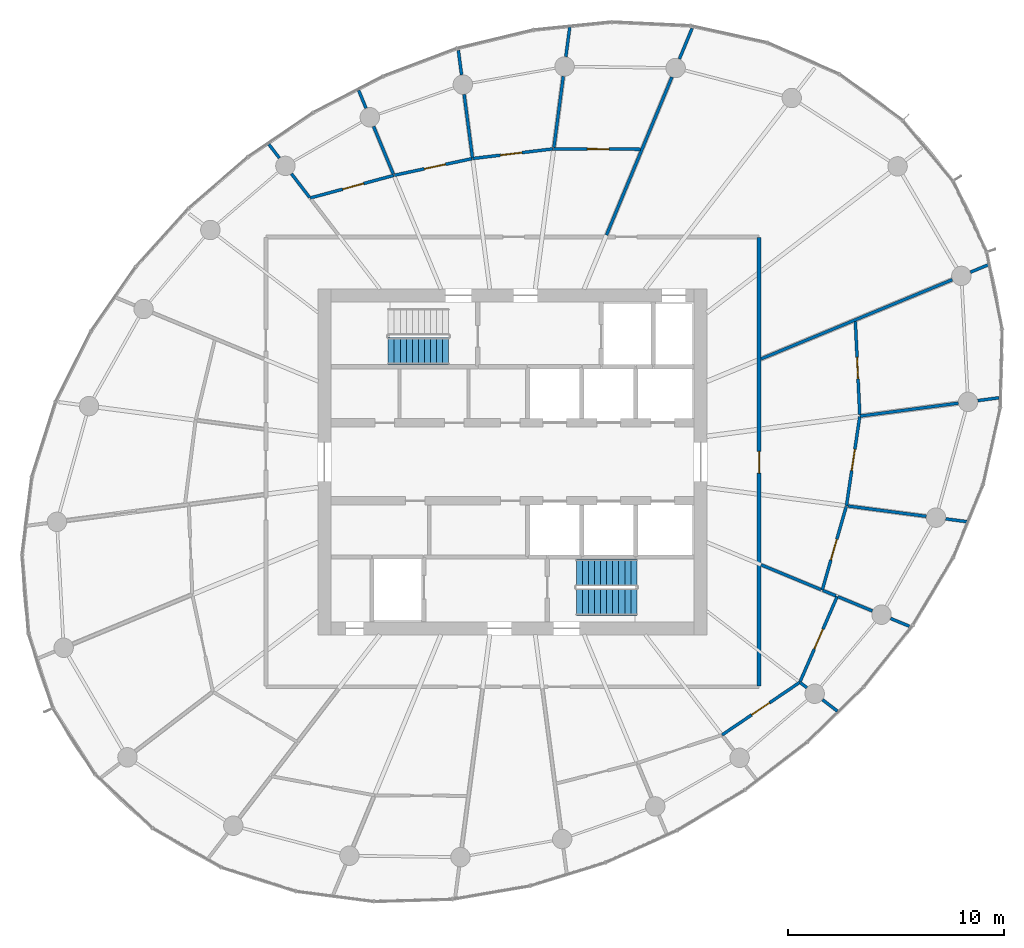
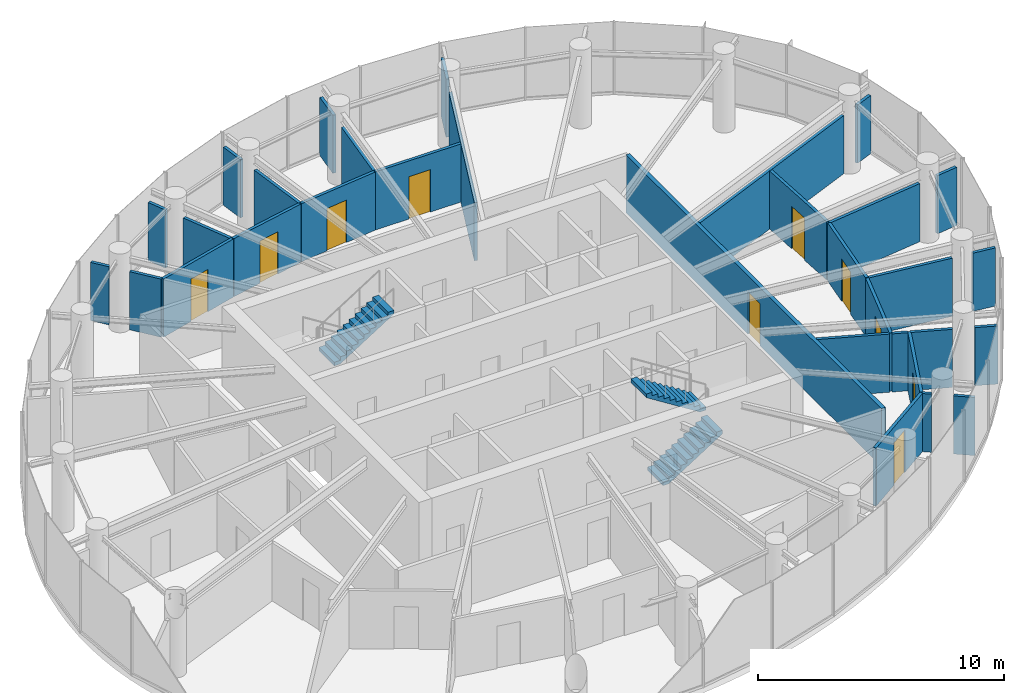
# One storey, part 12 of 15: 32 walls, 10 doors, 3 stair flights, 10 openings, 2 elements without a shape of their own.
"""IFC4 building model written with IfcOpenShell, lengths in metres."""

from ifc_helpers import new_model, si_unit, direction, frame, frame_2d, origin, place, context, subcontext, project, spatial, line, indexed_curve, rectangle, outline, extrude, source, transform, mapped, material, layer, layer_set, type_object, element, fill, aggregate, save


model = new_model("IFC4")

# Units and contexts
model_context = context("Model", 3, precision=1e-05, world=origin(), true_north=direction((0.0, 1.0)))
body_context = subcontext(model_context, "Body", "Model", "MODEL_VIEW")
ifc_project = project(units=[si_unit("LENGTHUNIT", "METRE"), si_unit("AREAUNIT", "SQUARE_METRE"), si_unit("VOLUMEUNIT", "CUBIC_METRE"), si_unit("PLANEANGLEUNIT", "RADIAN"), si_unit("MASSUNIT", "GRAM", prefix="KILO")], contexts=[model_context])

# Site, building, storey
site_placement = place(None, origin())
site = spatial("IfcSite", under=ifc_project, at=site_placement, CompositionType="ELEMENT")
building_placement = place(site_placement, origin())
building = spatial("IfcBuilding", under=site, at=building_placement, Name="Spindrift Exchange Tower", CompositionType="ELEMENT")
storey_placement = place(building_placement, frame((0.0, 0.0, 195.5)))
storey = spatial("IfcBuildingStorey", under=building, at=storey_placement, Name="L47", CompositionType="ELEMENT", Elevation=195.5)

# Wall, opening, door
ifc_material_1 = material(Name="Fire-rated plasterboard partition", Category="gypsum")
ifc_layer_1 = layer(ifc_material_1, 0.179931640625)
ifc_layer_set_1 = layer_set([ifc_layer_1], Name="W-CORR-180")
wall_type_1 = type_object("IfcWallType", Name="W-CORR-180", PredefinedType="PARTITIONING", material=ifc_layer_set_1)
wall_1_placement = place(storey_placement, frame((63.39990234375, 58.3701171875, 0.0), z_axis=(0.0, 0.0, 1.0), x_axis=(0.0, -1.0, 0.0)))
wall_1 = element("IfcWall", 1, at=wall_1_placement, inside=storey, type_object=wall_type_1, Name="L47 Partition wall 29", PredefinedType="PARTITIONING", context=body_context, shape_type="SweptSolid", body=[
    extrude(rectangle(XDim=20.740234375, YDim=0.179931640625, at=frame_2d((10.3701171875, 0.0))), origin(), (0.0, 0.0, 1.0), 2.8798828125),
])
opening_1_placement = place(wall_1_placement, frame((9.889892578125, 0.0, 0.0)))
opening_1 = element("IfcOpeningElement", 2, at=opening_1_placement, cuts=wall_1, Name="Opening L47-D35", PredefinedType="OPENING", context=body_context, shape_type="SweptSolid", body=[
    extrude(rectangle(XDim=1.0, YDim=2.10009765625, at=frame_2d((0.5, 1.050048828125))), frame((0.0, 0.099853515625, 0.0), z_axis=(0.0, -1.0, 0.0), x_axis=(1.0, 0.0, 0.0)), (0.0, 0.0, 1.0), 0.199951171875),
])
ifc_material_2 = material(Name="Timber-core fire door", Category="wood")
door_type = type_object("IfcDoorType", Name="DR-ROOM-1000", OperationType="NOTDEFINED", PredefinedType="DOOR", material=ifc_material_2)
shared_shape = source(origin(), body_context, "Body", "SweptSolid", [
    extrude(rectangle(XDim=1.0, YDim=2.10009765625, at=frame_2d((0.5, 1.050048828125))), frame((0.0, 0.02490234375, 0.0), z_axis=(0.0, -1.0, 0.0), x_axis=(1.0, 0.0, 0.0)), (0.0, 0.0, 1.0), 0.050048828125),
])
door_1_placement = place(opening_1_placement, origin())
door_1 = element("IfcDoor", 3, at=door_1_placement, inside=storey, type_object=door_type, Name="L47 Door 35", OperationType="SINGLE_SWING_RIGHT", OverallHeight=2.10009765625, OverallWidth=1.0, PredefinedType="DOOR", context=body_context, shape_type="MappedRepresentation", body=[
    mapped(shared_shape, transform((0.0, 0.0, 0.0), scale=1.0)),
])
fill(opening_1, door_1)

# Walls
ifc_layer_2 = layer(ifc_material_1, 0.139892578125)
ifc_layer_set_2 = layer_set([ifc_layer_2], Name="W-PART-140")
wall_type_2 = type_object("IfcWallType", Name="W-PART-140", PredefinedType="PARTITIONING", material=ifc_layer_set_2)
wall_2_placement = place(storey_placement, frame((72.332763671875, 56.422119140625, 0.0), z_axis=(0.0, 0.0, 1.0), x_axis=(-0.923877866197, -0.382687455178, 0.0)))
element("IfcWall", 4, at=wall_2_placement, inside=storey, type_object=wall_type_2, Name="L47 Partition wall 31", PredefinedType="PARTITIONING", context=body_context, shape_type="SweptSolid", body=[
    extrude(rectangle(XDim=9.5712890625, YDim=0.139892578125, at=frame_2d((4.78564453125, 0.0))), origin(), (0.0, 0.0, 1.0), 2.8798828125),
])
wall_3_placement = place(storey_placement, frame((59.36865234375, 65.789306640625, 0.0), z_axis=(0.0, 0.0, 1.0), x_axis=(-0.382679289053, -0.923881248716, 0.0)))
element("IfcWall", 5, at=wall_3_placement, inside=storey, type_object=wall_type_2, Name="L47 Partition wall 32", PredefinedType="PARTITIONING", context=body_context, shape_type="SweptSolid", body=[
    extrude(rectangle(XDim=7.900634765625, YDim=0.139892578125, at=frame_2d((3.9501953125, 0.0))), origin(), (0.0, 0.0, 1.0), 2.8798828125),
])
wall_4_placement = place(storey_placement, frame((68.056884765625, 50.114013671875, 0.0), z_axis=(0.0, 0.0, 1.0), x_axis=(0.991446516207, 0.130513621901, 0.0)))
element("IfcWall", 6, at=wall_4_placement, inside=storey, type_object=wall_type_2, Name="L47 Partition wall 40", PredefinedType="PARTITIONING", context=body_context, shape_type="SweptSolid", body=[
    extrude(rectangle(XDim=4.59423828125, YDim=0.139892578125, at=frame_2d((2.297119140625, 0.0))), origin(), (0.0, 0.0, 1.0), 2.8798828125),
])

# Wall, opening, door
wall_5_placement = place(storey_placement, frame((67.850830078125, 54.489990234375, 0.0), z_axis=(0.0, 0.0, 1.0), x_axis=(0.047064643858, -0.998891845646, 0.0)))
wall_5 = element("IfcWall", 7, at=wall_5_placement, inside=storey, type_object=wall_type_2, Name="L47 Partition wall 43", PredefinedType="PARTITIONING", context=body_context, shape_type="SweptSolid", body=[
    extrude(rectangle(XDim=4.310791015625, YDim=0.139892578125, at=frame_2d((2.1552734375, 0.0))), origin(), (0.0, 0.0, 1.0), 2.8798828125),
])
opening_2_placement = place(wall_5_placement, frame((1.660400390625, 0.0, 0.0)))
opening_2 = element("IfcOpeningElement", 8, at=opening_2_placement, cuts=wall_5, Name="Opening L47-D38", PredefinedType="OPENING", context=body_context, shape_type="SweptSolid", body=[
    extrude(rectangle(XDim=1.0, YDim=2.10009765625, at=frame_2d((0.5, 1.050048828125))), frame((0.0, 0.079833984375, 0.0), z_axis=(0.0, -1.0, 0.0), x_axis=(1.0, 0.0, 0.0)), (0.0, 0.0, 1.0), 0.159912109375),
])
door_2_placement = place(opening_2_placement, origin())
door_2 = element("IfcDoor", 9, at=door_2_placement, inside=storey, type_object=door_type, Name="L47 Door 38", OperationType="SINGLE_SWING_LEFT", OverallHeight=2.10009765625, OverallWidth=1.0, PredefinedType="DOOR", context=body_context, shape_type="MappedRepresentation", body=[
    mapped(shared_shape, transform((0.0, 0.0, 0.0), scale=1.0)),
])
fill(opening_2, door_2)

wall_6_placement = place(storey_placement, frame((65.28271484375, 37.807861328125, 0.0), z_axis=(0.0, 0.0, 1.0), x_axis=(-0.828127545773, -0.560539711288, 0.0)))
wall_6 = element("IfcWall", 10, at=wall_6_placement, inside=storey, type_object=wall_type_2, Name="L47 Partition wall 45", PredefinedType="PARTITIONING", context=body_context, shape_type="SweptSolid", body=[
    extrude(rectangle(XDim=4.341064453125, YDim=0.139892578125, at=frame_2d((2.17041015625, 0.0))), origin(), (0.0, 0.0, 1.0), 2.8798828125),
])
opening_3_placement = place(wall_6_placement, frame((1.69091796875, 0.0, 0.0)))
opening_3 = element("IfcOpeningElement", 11, at=opening_3_placement, cuts=wall_6, Name="Opening L47-D33", PredefinedType="OPENING", context=body_context, shape_type="SweptSolid", body=[
    extrude(rectangle(XDim=1.0, YDim=2.10009765625, at=frame_2d((0.5, 1.050048828125))), frame((0.0, 0.079833984375, 0.0), z_axis=(0.0, -1.0, 0.0), x_axis=(1.0, 0.0, 0.0)), (0.0, 0.0, 1.0), 0.159912109375),
])
door_3_placement = place(opening_3_placement, origin())
door_3 = element("IfcDoor", 12, at=door_3_placement, inside=storey, type_object=door_type, Name="L47 Door 33", OperationType="SINGLE_SWING_RIGHT", OverallHeight=2.10009765625, OverallWidth=1.0, PredefinedType="DOOR", context=body_context, shape_type="MappedRepresentation", body=[
    mapped(shared_shape, transform((0.0, 0.0, 0.0), scale=1.0)),
])
fill(opening_3, door_3)

wall_7_placement = place(storey_placement, frame((67.013427734375, 41.78125, 0.0), z_axis=(0.0, 0.0, 1.0), x_axis=(-0.399327520303, -0.916808339583, 0.0)))
wall_7 = element("IfcWall", 13, at=wall_7_placement, inside=storey, type_object=wall_type_2, Name="L47 Partition wall 46", PredefinedType="PARTITIONING", context=body_context, shape_type="SweptSolid", body=[
    extrude(rectangle(XDim=4.30419921875, YDim=0.139892578125, at=frame_2d((2.152099609375, 0.0))), origin(), (0.0, 0.0, 1.0), 2.8798828125),
])
opening_4_placement = place(wall_7_placement, frame((1.654052734375, 0.0, 0.0)))
opening_4 = element("IfcOpeningElement", 14, at=opening_4_placement, cuts=wall_7, Name="Opening L47-D34", PredefinedType="OPENING", context=body_context, shape_type="SweptSolid", body=[
    extrude(rectangle(XDim=1.0, YDim=2.10009765625, at=frame_2d((0.5, 1.050048828125))), frame((0.0, 0.079833984375, 0.0), z_axis=(0.0, -1.0, 0.0), x_axis=(1.0, 0.0, 0.0)), (0.0, 0.0, 1.0), 0.159912109375),
])
door_4_placement = place(opening_4_placement, origin())
door_4 = element("IfcDoor", 15, at=door_4_placement, inside=storey, type_object=door_type, Name="L47 Door 34", OperationType="SINGLE_SWING_LEFT", OverallHeight=2.10009765625, OverallWidth=1.0, PredefinedType="DOOR", context=body_context, shape_type="MappedRepresentation", body=[
    mapped(shared_shape, transform((0.0, 0.0, 0.0), scale=1.0)),
])
fill(opening_4, door_4)

wall_8_placement = place(storey_placement, frame((68.052490234375, 50.084228515625, 0.0), z_axis=(0.0, 0.0, 1.0), x_axis=(-0.147462696702, -0.989067618053, 0.0)))
wall_8 = element("IfcWall", 16, at=wall_8_placement, inside=storey, type_object=wall_type_2, Name="L47 Partition wall 47", PredefinedType="PARTITIONING", context=body_context, shape_type="SweptSolid", body=[
    extrude(rectangle(XDim=4.162109375, YDim=0.139892578125, at=frame_2d((2.0810546875, 0.0))), origin(), (0.0, 0.0, 1.0), 2.8798828125),
])
opening_5_placement = place(wall_8_placement, frame((1.51220703125, 0.0, 0.0)))
opening_5 = element("IfcOpeningElement", 17, at=opening_5_placement, cuts=wall_8, Name="Opening L47-D37", PredefinedType="OPENING", context=body_context, shape_type="SweptSolid", body=[
    extrude(rectangle(XDim=1.0, YDim=2.10009765625, at=frame_2d((0.5, 1.050048828125))), frame((0.0, 0.079833984375, 0.0), z_axis=(0.0, -1.0, 0.0), x_axis=(1.0, 0.0, 0.0)), (0.0, 0.0, 1.0), 0.159912109375),
])
door_5_placement = place(opening_5_placement, origin())
door_5 = element("IfcDoor", 18, at=door_5_placement, inside=storey, type_object=door_type, Name="L47 Door 37", OperationType="SINGLE_SWING_RIGHT", OverallHeight=2.10009765625, OverallWidth=1.0, PredefinedType="DOOR", context=body_context, shape_type="MappedRepresentation", body=[
    mapped(shared_shape, transform((0.0, 0.0, 0.0), scale=1.0)),
])
fill(opening_5, door_5)

wall_9_placement = place(storey_placement, frame((53.905517578125, 62.47314453125, 0.0), z_axis=(0.0, 0.0, 1.0), x_axis=(0.999985936292, -0.005303509904, 0.0)))
wall_9 = element("IfcWall", 19, at=wall_9_placement, inside=storey, type_object=wall_type_2, Name="L47 Partition wall 50", PredefinedType="PARTITIONING", context=body_context, shape_type="SweptSolid", body=[
    extrude(rectangle(XDim=4.0048828125, YDim=0.139892578125, at=frame_2d((2.00244140625, 0.0))), origin(), (0.0, 0.0, 1.0), 2.8798828125),
])
opening_6_placement = place(wall_9_placement, frame((1.55517578125, 0.0, 0.0)))
opening_6 = element("IfcOpeningElement", 20, at=opening_6_placement, cuts=wall_9, Name="Opening L47-D41", PredefinedType="OPENING", context=body_context, shape_type="SweptSolid", body=[
    extrude(rectangle(XDim=1.0, YDim=2.10009765625, at=frame_2d((0.5, 1.050048828125))), frame((0.0, 0.079833984375, 0.0), z_axis=(0.0, -1.0, 0.0), x_axis=(1.0, 0.0, 0.0)), (0.0, 0.0, 1.0), 0.159912109375),
])
door_6_placement = place(opening_6_placement, origin())
door_6 = element("IfcDoor", 21, at=door_6_placement, inside=storey, type_object=door_type, Name="L47 Door 41", OperationType="SINGLE_SWING_RIGHT", OverallHeight=2.10009765625, OverallWidth=1.0, PredefinedType="DOOR", context=body_context, shape_type="MappedRepresentation", body=[
    mapped(shared_shape, transform((0.0, 0.0, 0.0), scale=1.0)),
])
fill(opening_6, door_6)

wall_10_placement = place(storey_placement, frame((67.430419921875, 45.938720703125, 0.0), z_axis=(0.0, 0.0, 1.0), x_axis=(-0.276146395888, -0.96111558516, 0.0)))
wall_10 = element("IfcWall", 22, at=wall_10_placement, inside=storey, type_object=wall_type_2, Name="L47 Partition wall 51", PredefinedType="PARTITIONING", context=body_context, shape_type="SweptSolid", body=[
    extrude(rectangle(XDim=4.026123046875, YDim=0.139892578125, at=frame_2d((2.01318359375, 0.0))), origin(), (0.0, 0.0, 1.0), 2.8798828125),
])
opening_7_placement = place(wall_10_placement, frame((1.576171875, 0.0, 0.0)))
opening_7 = element("IfcOpeningElement", 23, at=opening_7_placement, cuts=wall_10, Name="Opening L47-D36", PredefinedType="OPENING", context=body_context, shape_type="SweptSolid", body=[
    extrude(rectangle(XDim=1.0, YDim=2.10009765625, at=frame_2d((0.5, 1.050048828125))), frame((0.0, 0.079833984375, 0.0), z_axis=(0.0, -1.0, 0.0), x_axis=(1.0, 0.0, 0.0)), (0.0, 0.0, 1.0), 0.159912109375),
])
door_7_placement = place(opening_7_placement, origin())
door_7 = element("IfcDoor", 24, at=door_7_placement, inside=storey, type_object=door_type, Name="L47 Door 36", OperationType="SINGLE_SWING_LEFT", OverallHeight=2.10009765625, OverallWidth=1.0, PredefinedType="DOOR", context=body_context, shape_type="MappedRepresentation", body=[
    mapped(shared_shape, transform((0.0, 0.0, 0.0), scale=1.0)),
])
fill(opening_7, door_7)

wall_11_placement = place(storey_placement, frame((42.640625, 60.197509765625, 0.0), z_axis=(0.0, 0.0, 1.0), x_axis=(0.965275935765, 0.261232401957, 0.0)))
wall_11 = element("IfcWall", 25, at=wall_11_placement, inside=storey, type_object=wall_type_2, Name="L47 Partition wall 52", PredefinedType="PARTITIONING", context=body_context, shape_type="SweptSolid", body=[
    extrude(rectangle(XDim=4.01220703125, YDim=0.139892578125, at=frame_2d((2.006103515625, 0.0))), origin(), (0.0, 0.0, 1.0), 2.8798828125),
])
opening_8_placement = place(wall_11_placement, frame((1.562255859375, 0.0, 0.0)))
opening_8 = element("IfcOpeningElement", 26, at=opening_8_placement, cuts=wall_11, Name="Opening L47-D44", PredefinedType="OPENING", context=body_context, shape_type="SweptSolid", body=[
    extrude(rectangle(XDim=1.0, YDim=2.10009765625, at=frame_2d((0.5, 1.050048828125))), frame((0.0, 0.079833984375, 0.0), z_axis=(0.0, -1.0, 0.0), x_axis=(1.0, 0.0, 0.0)), (0.0, 0.0, 1.0), 0.159912109375),
])
door_8_placement = place(opening_8_placement, origin())
door_8 = element("IfcDoor", 27, at=door_8_placement, inside=storey, type_object=door_type, Name="L47 Door 44", OperationType="SINGLE_SWING_LEFT", OverallHeight=2.10009765625, OverallWidth=1.0, PredefinedType="DOOR", context=body_context, shape_type="MappedRepresentation", body=[
    mapped(shared_shape, transform((0.0, 0.0, 0.0), scale=1.0)),
])
fill(opening_8, door_8)

# Walls
wall_12_placement = place(storey_placement, frame((66.34619140625, 42.0576171875, 0.0), z_axis=(0.0, 0.0, 1.0), x_axis=(0.923916464962, -0.382594257371, 0.0)))
element("IfcWall", 28, at=wall_12_placement, inside=storey, type_object=wall_type_2, Name="L47 Partition wall 55", PredefinedType="PARTITIONING", context=body_context, shape_type="SweptSolid", body=[
    extrude(rectangle(XDim=0.652099609375, YDim=0.139892578125, at=frame_2d((0.326171875, 0.0))), origin(), (0.0, 0.0, 1.0), 2.8798828125),
])
wall_13_placement = place(storey_placement, frame((63.489990234375, 43.24072265625, 0.0), z_axis=(0.0, 0.0, 1.0), x_axis=(0.923864621618, -0.382719428462, 0.0)))
element("IfcWall", 29, at=wall_13_placement, inside=storey, type_object=wall_type_2, Name="L47 Partition wall 56", PredefinedType="PARTITIONING", context=body_context, shape_type="SweptSolid", body=[
    extrude(rectangle(XDim=2.9912109375, YDim=0.139892578125, at=frame_2d((1.49560546875, 0.0))), origin(), (0.0, 0.0, 1.0), 2.8798828125),
])

# Wall, opening, door
wall_14_placement = place(storey_placement, frame((50.15380859375, 62.0234375, 0.0), z_axis=(0.0, 0.0, 1.0), x_axis=(0.992895317482, 0.118991127913, 0.0)))
wall_14 = element("IfcWall", 30, at=wall_14_placement, inside=storey, type_object=wall_type_2, Name="L47 Partition wall 58", PredefinedType="PARTITIONING", context=body_context, shape_type="SweptSolid", body=[
    extrude(rectangle(XDim=3.74853515625, YDim=0.139892578125, at=frame_2d((1.874267578125, 0.0))), origin(), (0.0, 0.0, 1.0), 2.8798828125),
])
opening_9_placement = place(wall_14_placement, frame((1.298583984375, 0.0, 0.0)))
opening_9 = element("IfcOpeningElement", 31, at=opening_9_placement, cuts=wall_14, Name="Opening L47-D42", PredefinedType="OPENING", context=body_context, shape_type="SweptSolid", body=[
    extrude(rectangle(XDim=1.0, YDim=2.10009765625, at=frame_2d((0.5, 1.050048828125))), frame((0.0, 0.079833984375, 0.0), z_axis=(0.0, -1.0, 0.0), x_axis=(1.0, 0.0, 0.0)), (0.0, 0.0, 1.0), 0.159912109375),
])
door_9_placement = place(opening_9_placement, origin())
door_9 = element("IfcDoor", 32, at=door_9_placement, inside=storey, type_object=door_type, Name="L47 Door 42", OperationType="SINGLE_SWING_LEFT", OverallHeight=2.10009765625, OverallWidth=1.0, PredefinedType="DOOR", context=body_context, shape_type="MappedRepresentation", body=[
    mapped(shared_shape, transform((0.0, 0.0, 0.0), scale=1.0)),
])
fill(opening_9, door_9)

# Wall
wall_15_placement = place(storey_placement, frame((67.508056640625, 45.958251953125, 0.0), z_axis=(0.0, 0.0, 1.0), x_axis=(0.991447698438, -0.130504640766, 0.0)))
element("IfcWall", 33, at=wall_15_placement, inside=storey, type_object=wall_type_2, Name="L47 Partition wall 59", PredefinedType="PARTITIONING", context=body_context, shape_type="SweptSolid", body=[
    extrude(rectangle(XDim=3.653564453125, YDim=0.139892578125, at=frame_2d((1.82666015625, 0.0))), origin(), (0.0, 0.0, 1.0), 2.8798828125),
])

# Wall, opening, door
wall_16_placement = place(storey_placement, frame((46.542724609375, 61.251708984375, 0.0), z_axis=(0.0, 0.0, 1.0), x_axis=(0.977922236045, 0.208969137073, 0.0)))
wall_16 = element("IfcWall", 34, at=wall_16_placement, inside=storey, type_object=wall_type_2, Name="L47 Partition wall 60", PredefinedType="PARTITIONING", context=body_context, shape_type="SweptSolid", body=[
    extrude(rectangle(XDim=3.66259765625, YDim=0.139892578125, at=frame_2d((1.831298828125, 0.0))), origin(), (0.0, 0.0, 1.0), 2.8798828125),
])
opening_10_placement = place(wall_16_placement, frame((1.41259765625, 0.0, 0.0)))
opening_10 = element("IfcOpeningElement", 35, at=opening_10_placement, cuts=wall_16, Name="Opening L47-D43", PredefinedType="OPENING", context=body_context, shape_type="SweptSolid", body=[
    extrude(rectangle(XDim=1.0, YDim=2.10009765625, at=frame_2d((0.5, 1.050048828125))), frame((0.0, 0.079833984375, 0.0), z_axis=(0.0, -1.0, 0.0), x_axis=(1.0, 0.0, 0.0)), (0.0, 0.0, 1.0), 0.159912109375),
])
door_10_placement = place(opening_10_placement, origin())
door_10 = element("IfcDoor", 36, at=door_10_placement, inside=storey, type_object=door_type, Name="L47 Door 43", OperationType="SINGLE_SWING_RIGHT", OverallHeight=2.10009765625, OverallWidth=1.0, PredefinedType="DOOR", context=body_context, shape_type="MappedRepresentation", body=[
    mapped(shared_shape, transform((0.0, 0.0, 0.0), scale=1.0)),
])
fill(opening_10, door_10)

# Walls
wall_17_placement = place(storey_placement, frame((53.91455078125, 62.543212890625, 0.0), z_axis=(0.0, 0.0, 1.0), x_axis=(0.130589863737, 0.99143647678, 0.0)))
element("IfcWall", 37, at=wall_17_placement, inside=storey, type_object=wall_type_2, Name="L47 Partition wall 62", PredefinedType="PARTITIONING", context=body_context, shape_type="SweptSolid", body=[
    extrude(rectangle(XDim=3.312744140625, YDim=0.139892578125, at=frame_2d((1.65625, 0.0))), origin(), (0.0, 0.0, 1.0), 2.8798828125),
])
wall_18_placement = place(storey_placement, frame((50.14990234375, 62.052978515625, 0.0), z_axis=(0.0, 0.0, 1.0), x_axis=(-0.130539730855, 0.991443078885, 0.0)))
element("IfcWall", 38, at=wall_18_placement, inside=storey, type_object=wall_type_2, Name="L47 Partition wall 64", PredefinedType="PARTITIONING", context=body_context, shape_type="SweptSolid", body=[
    extrude(rectangle(XDim=2.96435546875, YDim=0.139892578125, at=frame_2d((1.482177734375, 0.0))), origin(), (0.0, 0.0, 1.0), 2.8798828125),
])
wall_19_placement = place(storey_placement, frame((67.041015625, 41.769775390625, 0.0), z_axis=(0.0, 0.0, 1.0), x_axis=(0.923880918209, -0.382680086977, 0.0)))
element("IfcWall", 39, at=wall_19_placement, inside=storey, type_object=wall_type_2, Name="L47 Partition wall 66", PredefinedType="PARTITIONING", context=body_context, shape_type="SweptSolid", body=[
    extrude(rectangle(XDim=1.7294921875, YDim=0.139892578125, at=frame_2d((0.86474609375, 0.0))), origin(), (0.0, 0.0, 1.0), 2.8798828125),
])
wall_20_placement = place(storey_placement, frame((46.486572265625, 61.310791015625, 0.0), z_axis=(0.0, 0.0, 1.0), x_axis=(-0.38269282806, 0.923875640631, 0.0)))
element("IfcWall", 40, at=wall_20_placement, inside=storey, type_object=wall_type_2, Name="L47 Partition wall 67", PredefinedType="PARTITIONING", context=body_context, shape_type="SweptSolid", body=[
    extrude(rectangle(XDim=2.381591796875, YDim=0.139892578125, at=frame_2d((1.19091796875, 0.0))), origin(), (0.0, 0.0, 1.0), 2.8798828125),
])
wall_21_placement = place(storey_placement, frame((59.716796875, 66.630126953125, 0.0), z_axis=(0.0, 0.0, 1.0), x_axis=(0.382783039517, 0.923838267587, 0.0)))
element("IfcWall", 41, at=wall_21_placement, inside=storey, type_object=wall_type_2, Name="L47 Partition wall 75", PredefinedType="PARTITIONING", context=body_context, shape_type="SweptSolid", body=[
    extrude(rectangle(XDim=1.533203125, YDim=0.139892578125, at=frame_2d((0.7666015625, 0.0))), origin(), (0.0, 0.0, 1.0), 2.8798828125),
])
wall_22_placement = place(storey_placement, frame((42.622314453125, 60.22119140625, 0.0), z_axis=(0.0, 0.0, 1.0), x_axis=(-0.608715815007, 0.793388339063, 0.0)))
element("IfcWall", 42, at=wall_22_placement, inside=storey, type_object=wall_type_2, Name="L47 Partition wall 78", PredefinedType="PARTITIONING", context=body_context, shape_type="SweptSolid", body=[
    extrude(rectangle(XDim=1.38818359375, YDim=0.139892578125, at=frame_2d((0.694091796875, 0.0))), origin(), (0.0, 0.0, 1.0), 2.8798828125),
])
wall_23_placement = place(storey_placement, frame((54.4658203125, 66.72900390625, 0.0), z_axis=(0.0, 0.0, 1.0), x_axis=(0.130495678972, 0.991448878041, 0.0)))
element("IfcWall", 43, at=wall_23_placement, inside=storey, type_object=wall_type_2, Name="L47 Partition wall 80", PredefinedType="PARTITIONING", context=body_context, shape_type="SweptSolid", body=[
    extrude(rectangle(XDim=1.380615234375, YDim=0.139892578125, at=frame_2d((0.6904296875, 0.0))), origin(), (0.0, 0.0, 1.0), 2.8798828125),
])
wall_24_placement = place(storey_placement, frame((49.644287109375, 65.89306640625, 0.0), z_axis=(0.0, 0.0, 1.0), x_axis=(-0.130415862512, 0.99145938031, 0.0)))
element("IfcWall", 44, at=wall_24_placement, inside=storey, type_object=wall_type_2, Name="L47 Partition wall 82", PredefinedType="PARTITIONING", context=body_context, shape_type="SweptSolid", body=[
    extrude(rectangle(XDim=1.143798828125, YDim=0.139892578125, at=frame_2d((0.57177734375, 0.0))), origin(), (0.0, 0.0, 1.0), 2.8798828125),
])
wall_25_placement = place(storey_placement, frame((72.031494140625, 45.36279296875, 0.0), z_axis=(0.0, 0.0, 1.0), x_axis=(0.991439224031, -0.13056900495, 0.0)))
element("IfcWall", 45, at=wall_25_placement, inside=storey, type_object=wall_type_2, Name="L47 Partition wall 84", PredefinedType="PARTITIONING", context=body_context, shape_type="SweptSolid", body=[
    extrude(rectangle(XDim=0.992919921875, YDim=0.139892578125, at=frame_2d((0.49658203125, 0.0))), origin(), (0.0, 0.0, 1.0), 2.8798828125),
])
wall_26_placement = place(storey_placement, frame((73.512939453125, 50.832275390625, 0.0), z_axis=(0.0, 0.0, 1.0), x_axis=(0.991439080575, 0.130570094237, 0.0)))
element("IfcWall", 46, at=wall_26_placement, inside=storey, type_object=wall_type_2, Name="L47 Partition wall 85", PredefinedType="PARTITIONING", context=body_context, shape_type="SweptSolid", body=[
    extrude(rectangle(XDim=0.9833984375, YDim=0.139892578125, at=frame_2d((0.49169921875, 0.0))), origin(), (0.0, 0.0, 1.0), 2.8798828125),
])
wall_27_placement = place(storey_placement, frame((70.348876953125, 40.399658203125, 0.0), z_axis=(0.0, 0.0, 1.0), x_axis=(-0.923934603914, 0.382550451171, 0.0)))
element("IfcWall", 47, at=wall_27_placement, inside=storey, type_object=wall_type_2, Name="L47 Partition wall 87", PredefinedType="PARTITIONING", context=body_context, shape_type="SweptSolid", body=[
    extrude(rectangle(XDim=0.940673828125, YDim=0.139892578125, at=frame_2d((0.47021484375, 0.0))), origin(), (0.0, 0.0, 1.0), 2.8798828125),
])
wall_28_placement = place(storey_placement, frame((45.226806640625, 64.351806640625, 0.0), z_axis=(0.0, 0.0, 1.0), x_axis=(-0.382609993492, 0.923909948469, 0.0)))
element("IfcWall", 48, at=wall_28_placement, inside=storey, type_object=wall_type_2, Name="L47 Partition wall 89", PredefinedType="PARTITIONING", context=body_context, shape_type="SweptSolid", body=[
    extrude(rectangle(XDim=0.890869140625, YDim=0.139892578125, at=frame_2d((0.4453125, 0.0))), origin(), (0.0, 0.0, 1.0), 2.8798828125),
])
wall_29_placement = place(storey_placement, frame((73.173583984375, 56.770263671875, 0.0), z_axis=(0.0, 0.0, 1.0), x_axis=(0.923828017367, 0.382807777256, 0.0)))
element("IfcWall", 49, at=wall_29_placement, inside=storey, type_object=wall_type_2, Name="L47 Partition wall 92", PredefinedType="PARTITIONING", context=body_context, shape_type="SweptSolid", body=[
    extrude(rectangle(XDim=0.882568359375, YDim=0.139892578125, at=frame_2d((0.44140625, 0.0))), origin(), (0.0, 0.0, 1.0), 2.8798828125),
])
wall_30_placement = place(storey_placement, frame((66.33154296875, 37.0029296875, 0.0), z_axis=(0.0, 0.0, 1.0), x_axis=(0.7933756116, -0.608732403374, 0.0)))
element("IfcWall", 50, at=wall_30_placement, inside=storey, type_object=wall_type_2, Name="L47 Partition wall 94", PredefinedType="PARTITIONING", context=body_context, shape_type="SweptSolid", body=[
    extrude(rectangle(XDim=0.86865234375, YDim=0.139892578125, at=frame_2d((0.434326171875, 0.0))), origin(), (0.0, 0.0, 1.0), 2.8798828125),
])
wall_31_placement = place(storey_placement, frame((41.22412109375, 62.043701171875, 0.0), z_axis=(0.0, 0.0, 1.0), x_axis=(-0.608783126566, 0.793336690698, 0.0)))
element("IfcWall", 51, at=wall_31_placement, inside=storey, type_object=wall_type_2, Name="L47 Partition wall 95", PredefinedType="PARTITIONING", context=body_context, shape_type="SweptSolid", body=[
    extrude(rectangle(XDim=0.8017578125, YDim=0.139892578125, at=frame_2d((0.40087890625, 0.0))), origin(), (0.0, 0.0, 1.0), 2.8798828125),
])
wall_32_placement = place(storey_placement, frame((65.306396484375, 37.78955078125, 0.0), z_axis=(0.0, 0.0, 1.0), x_axis=(0.793452471415, -0.608632217029, 0.0)))
element("IfcWall", 52, at=wall_32_placement, inside=storey, type_object=wall_type_2, Name="L47 Partition wall 97", PredefinedType="PARTITIONING", context=body_context, shape_type="SweptSolid", body=[
    extrude(rectangle(XDim=0.383056640625, YDim=0.139892578125, at=frame_2d((0.19140625, 0.0))), origin(), (0.0, 0.0, 1.0), 2.8798828125),
])

# Stair, stair flight
ifc_material_3 = material(Name="Concrete 50 MPa", Category="concrete")
stair_type = type_object("IfcStairType", Name="ST-1250-R177", PredefinedType="HALF_TURN_STAIR", material=ifc_material_3)
stair_1_placement = place(storey_placement, origin())
stair_1 = element("IfcStair", 53, at=stair_1_placement, inside=storey, type_object=stair_type, Name="L47 Exit stair ST1", PredefinedType="HALF_TURN_STAIR")
stair_flight_type = type_object("IfcStairFlightType", Name="STF-1250-R177", PredefinedType="STRAIGHT", material=ifc_material_3)
stair_flight_1_placement = place(storey_placement, frame((46.25, 53.125, 1.949951171875), z_axis=(0.0, 0.0, 1.0), x_axis=(1.0, 0.0, 0.0)))
stair_flight_1 = element("IfcStairFlight", 54, at=stair_flight_1_placement, type_object=stair_flight_type, Name="ST1 flight 2", NumberOfRisers=11, NumberOfTreads=10, PredefinedType="STRAIGHT", RiserHeight=0.177272727, TreadLength=0.28, context=body_context, shape_type="SweptSolid", body=[
    extrude(outline(indexed_curve([(0.0, 0.0), (0.0, 0.177734375), (0.2802734375, 0.177734375), (0.2802734375, 0.3544921875), (0.5595703125, 0.3544921875), (0.5595703125, 0.5322265625), (0.83984375, 0.5322265625), (0.83984375, 0.708984375), (1.1201171875, 0.708984375), (1.1201171875, 0.88671875), (1.400390625, 0.88671875), (1.400390625, 1.0634765625), (1.6796875, 1.0634765625), (1.6796875, 1.2412109375), (1.9599609375, 1.2412109375), (1.9599609375, 1.41796875), (2.240234375, 1.41796875), (2.240234375, 1.595703125), (2.51953125, 1.595703125), (2.51953125, 1.7724609375), (2.7998046875, 1.7724609375), (2.7998046875, 1.9501953125), (2.7998046875, 1.595703125), (0.2802734375, 0.0)], segments=[line(1, 2, 3, 4, 5, 6, 7, 8, 9, 10, 11, 12, 13, 14, 15, 16, 17, 18, 19, 20, 21, 22, 23, 24, 1)], self_intersect=False)), frame((0.0, 0.625, 0.0), z_axis=(0.0, -1.0, 0.0), x_axis=(1.0, 0.0, 0.0)), (0.0, 0.0, 1.0), 1.25),
])
aggregate(stair_1, [stair_flight_1])

# Stair, stair flights
stair_2_placement = place(storey_placement, origin())
stair_2 = element("IfcStair", 55, at=stair_2_placement, inside=storey, type_object=stair_type, Name="L47 Exit stair ST2", PredefinedType="HALF_TURN_STAIR")
stair_flight_2_placement = place(storey_placement, frame((54.949951171875, 41.52490234375, 0.0), z_axis=(0.0, 0.0, 1.0), x_axis=(1.0, 0.0, 0.0)))
stair_flight_2 = element("IfcStairFlight", 56, at=stair_flight_2_placement, type_object=stair_flight_type, Name="ST2 flight 1", NumberOfRisers=11, NumberOfTreads=10, PredefinedType="STRAIGHT", RiserHeight=0.177272727, TreadLength=0.28, context=body_context, shape_type="SweptSolid", body=[
    extrude(outline(indexed_curve([(0.0, 0.0), (0.0, 0.177734375), (0.2802734375, 0.177734375), (0.2802734375, 0.3544921875), (0.5595703125, 0.3544921875), (0.5595703125, 0.5322265625), (0.83984375, 0.5322265625), (0.83984375, 0.708984375), (1.1201171875, 0.708984375), (1.1201171875, 0.88671875), (1.400390625, 0.88671875), (1.400390625, 1.0634765625), (1.6796875, 1.0634765625), (1.6796875, 1.2412109375), (1.9599609375, 1.2412109375), (1.9599609375, 1.41796875), (2.240234375, 1.41796875), (2.240234375, 1.595703125), (2.51953125, 1.595703125), (2.51953125, 1.7724609375), (2.7998046875, 1.7724609375), (2.7998046875, 1.9501953125), (2.7998046875, 1.595703125), (0.2802734375, 0.0)], segments=[line(1, 2, 3, 4, 5, 6, 7, 8, 9, 10, 11, 12, 13, 14, 15, 16, 17, 18, 19, 20, 21, 22, 23, 24, 1)], self_intersect=False)), frame((0.0, 0.625, 0.0), z_axis=(0.0, -1.0, 0.0), x_axis=(1.0, 0.0, 0.0)), (0.0, 0.0, 1.0), 1.25),
])
stair_flight_3_placement = place(storey_placement, frame((57.75, 42.875, 1.949951171875), z_axis=(0.0, 0.0, 1.0), x_axis=(-1.0, 0.0, 0.0)))
stair_flight_3 = element("IfcStairFlight", 57, at=stair_flight_3_placement, type_object=stair_flight_type, Name="ST2 flight 2", NumberOfRisers=11, NumberOfTreads=10, PredefinedType="STRAIGHT", RiserHeight=0.177272727, TreadLength=0.28, context=body_context, shape_type="SweptSolid", body=[
    extrude(outline(indexed_curve([(0.0, 0.0), (0.0, 0.177734375), (0.2802734375, 0.177734375), (0.2802734375, 0.3544921875), (0.5595703125, 0.3544921875), (0.5595703125, 0.5322265625), (0.83984375, 0.5322265625), (0.83984375, 0.708984375), (1.1201171875, 0.708984375), (1.1201171875, 0.88671875), (1.400390625, 0.88671875), (1.400390625, 1.0634765625), (1.6796875, 1.0634765625), (1.6796875, 1.2412109375), (1.9599609375, 1.2412109375), (1.9599609375, 1.41796875), (2.240234375, 1.41796875), (2.240234375, 1.595703125), (2.51953125, 1.595703125), (2.51953125, 1.7724609375), (2.7998046875, 1.7724609375), (2.7998046875, 1.9501953125), (2.7998046875, 1.595703125), (0.2802734375, 0.0)], segments=[line(1, 2, 3, 4, 5, 6, 7, 8, 9, 10, 11, 12, 13, 14, 15, 16, 17, 18, 19, 20, 21, 22, 23, 24, 1)], self_intersect=False)), frame((0.0, 0.625, 0.0), z_axis=(0.0, -1.0, 0.0), x_axis=(1.0, 0.0, 0.0)), (0.0, 0.0, 1.0), 1.25),
])
aggregate(stair_2, [stair_flight_2, stair_flight_3])

save(model, "model.ifc")
